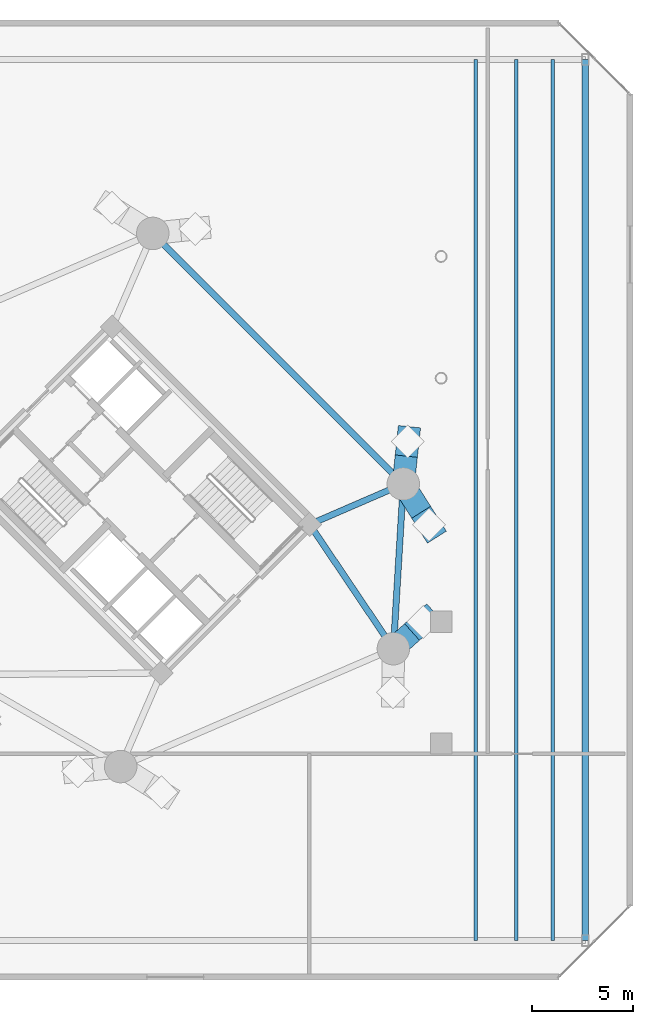
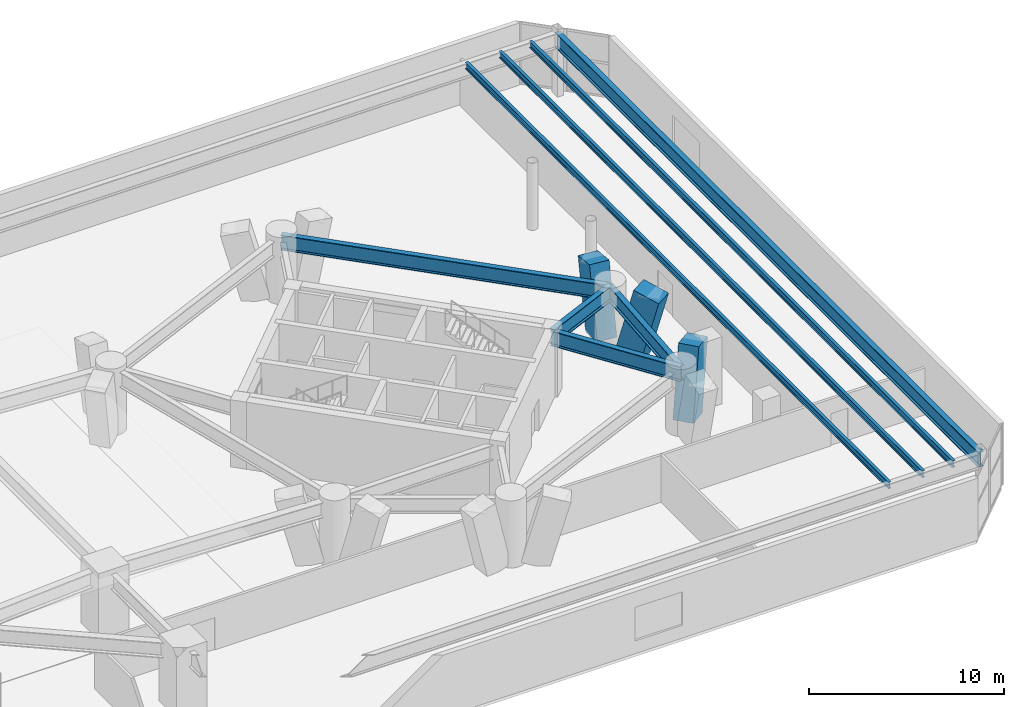
# One storey, part 8 of 20: 8 beams, 3 members.
"""IFC4 building model written with IfcOpenShell, lengths in metres."""

from ifc_helpers import new_model, si_unit, direction, frame, origin, origin_2d, place, context, subcontext, project, spatial, rectangle, i_section, extrude, material, material_profile, profile_set, type_object, element, save


model = new_model("IFC4")

# Units and contexts
model_context = context("Model", 3, precision=1e-05, world=origin(), true_north=direction((0.0, 1.0)))
body_context = subcontext(model_context, "Body", "Model", "MODEL_VIEW")
ifc_project = project(units=[si_unit("LENGTHUNIT", "METRE"), si_unit("AREAUNIT", "SQUARE_METRE"), si_unit("VOLUMEUNIT", "CUBIC_METRE"), si_unit("PLANEANGLEUNIT", "RADIAN"), si_unit("MASSUNIT", "GRAM", prefix="KILO")], contexts=[model_context])

# Site, building, storey
site_placement = place(None, origin())
site = spatial("IfcSite", under=ifc_project, at=site_placement, CompositionType="ELEMENT")
building_placement = place(site_placement, origin())
building = spatial("IfcBuilding", under=site, at=building_placement, Name="Cununo Teusaquillo Station Towers", CompositionType="ELEMENT")
storey_placement = place(building_placement, frame((0.0, 0.0, 4.800048828125)))
storey = spatial("IfcBuildingStorey", under=building, at=storey_placement, Name="L01", CompositionType="ELEMENT", Elevation=4.800048828125)

# Beams
ifc_material_1 = material(Name="Steel ASTM A572 Grade 50", Category="steel")
ifc_material_profile_1 = material_profile(ifc_material_1, i_section(OverallWidth=0.180908203125, OverallDepth=0.4169921875, WebThickness=0.010986328125, FlangeThickness=0.018310546875, FilletRadius=0.012939453125, at=origin_2d()), Name="W16X57")
ifc_profile_set_1 = profile_set([ifc_material_profile_1], Name="Steel ASTM A572 Grade 50")
beam_type_1 = type_object("IfcBeamType", Name="BM-JOIST-1", PredefinedType="JOIST", material=ifc_profile_set_1)
for number, where, z_axis, x_axis, name in (
    (1, (74.199951171875, 2.800048828125, 3.69140625), (0.0, 1.0, 0.0), (-1.0, 0.0, 0.0), "L01 Floor Secondary Joist 1"),
    (2, (76.199951171875, 2.800048828125, 3.69140625), (0.0, 1.0, 0.0), (-1.0, 0.0, 0.0), "L01 Floor Secondary Joist 2"),
    (3, (78.0, 2.800048828125, 3.69140625), (0.0, 1.0, 0.0), (-1.0, 0.0, 0.0), "L01 Floor Secondary Joist 3"),
):
    element("IfcBeam", number, at=place(storey_placement, frame(where, z_axis=z_axis, x_axis=x_axis)), inside=storey, type_object=beam_type_1, Name=name, PredefinedType="JOIST", context=body_context, shape_type="SweptSolid", body=[
        extrude(i_section(OverallWidth=0.180908203125, OverallDepth=0.4169921875, WebThickness=0.010986328125, FlangeThickness=0.018310546875, FilletRadius=0.012939453125, at=origin_2d()), origin(), (0.0, 0.0, 1.0), 43.39990234375),
    ])
ifc_material_2 = material(Name="Steel ASTM A572 Grade 50", Category="steel")
ifc_material_profile_2 = material_profile(ifc_material_2, i_section(OverallWidth=0.30810546875, OverallDepth=0.943115234375, WebThickness=0.022216796875, FlangeThickness=0.039794921875, FilletRadius=0.02392578125, at=origin_2d()), Name="W36X232")
ifc_profile_set_2 = profile_set([ifc_material_profile_2], Name="Steel ASTM A572 Grade 50")
beam_type_2 = type_object("IfcBeamType", Name="BM-POD-SEC", PredefinedType="BEAM", material=ifc_profile_set_2)
beam_1_placement = place(storey_placement, frame((70.146240234375, 17.173095703125, 3.428466796875), z_axis=(0.06012979176, 0.998190567048, 0.0), x_axis=(-0.998190567048, 0.06012979176, 0.0)))
element("IfcBeam", 4, at=beam_1_placement, inside=storey, type_object=beam_type_2, Name="L01 Tower B Podium Perimeter Girder 5", PredefinedType="BEAM", context=body_context, shape_type="SweptSolid", body=[
    extrude(i_section(OverallWidth=0.30810546875, OverallDepth=0.943115234375, WebThickness=0.022216796875, FlangeThickness=0.039794921875, FilletRadius=0.02392578125, at=origin_2d()), origin(), (0.0, 0.0, 1.0), 8.132568359375),
])
beam_2_placement = place(storey_placement, frame((70.63525390625, 25.291015625, 3.428466796875), z_axis=(-0.707106781187, 0.707106781187, 0.0), x_axis=(-0.707106781187, -0.707106781187, 0.0)))
element("IfcBeam", 5, at=beam_2_placement, inside=storey, type_object=beam_type_2, Name="L01 Tower B Podium Perimeter Girder 6", PredefinedType="BEAM", context=body_context, shape_type="SweptSolid", body=[
    extrude(i_section(OverallWidth=0.30810546875, OverallDepth=0.943115234375, WebThickness=0.022216796875, FlangeThickness=0.039794921875, FilletRadius=0.02392578125, at=origin_2d()), origin(), (0.0, 0.0, 1.0), 17.457275390625),
])
beam_3_placement = place(storey_placement, frame((66.024169921875, 23.29443359375, 3.428466796875), z_axis=(0.558557182486, -0.829466017323, 0.0), x_axis=(0.829466017323, 0.558557182486, 0.0)))
element("IfcBeam", 6, at=beam_3_placement, inside=storey, type_object=beam_type_2, Name="L01 Tower B Podium Radial Girder 5", PredefinedType="BEAM", context=body_context, shape_type="SweptSolid", body=[
    extrude(i_section(OverallWidth=0.30810546875, OverallDepth=0.943115234375, WebThickness=0.022216796875, FlangeThickness=0.039794921875, FilletRadius=0.02392578125, at=origin_2d()), origin(), (0.0, 0.0, 1.0), 7.3798828125),
])
beam_4_placement = place(storey_placement, frame((66.024169921875, 23.29443359375, 3.428466796875), z_axis=(0.917668443616, 0.397346986387, 0.0), x_axis=(-0.397346986387, 0.917668443616, 0.0)))
element("IfcBeam", 7, at=beam_4_placement, inside=storey, type_object=beam_type_2, Name="L01 Tower B Podium Radial Girder 6", PredefinedType="BEAM", context=body_context, shape_type="SweptSolid", body=[
    extrude(i_section(OverallWidth=0.30810546875, OverallDepth=0.943115234375, WebThickness=0.022216796875, FlangeThickness=0.039794921875, FilletRadius=0.02392578125, at=origin_2d()), origin(), (0.0, 0.0, 1.0), 5.02490234375),
])
beam_5_placement = place(storey_placement, frame((79.60009765625, 2.800048828125, 3.428466796875), z_axis=(0.0, 1.0, 0.0), x_axis=(-1.0, 0.0, 0.0)))
element("IfcBeam", 8, at=beam_5_placement, inside=storey, type_object=beam_type_2, Name="L01 Station Podium Girder CAN-E", PredefinedType="BEAM", context=body_context, shape_type="SweptSolid", body=[
    extrude(i_section(OverallWidth=0.30810546875, OverallDepth=0.943115234375, WebThickness=0.022216796875, FlangeThickness=0.039794921875, FilletRadius=0.02392578125, at=origin_2d()), origin(), (0.0, 0.0, 1.0), 43.39990234375),
])

# Members
ifc_material_3 = material(Name="Concrete C60/75", Category="concrete")
ifc_material_profile_3 = material_profile(ifc_material_3, rectangle(XDim=1.10009765625, YDim=1.5, at=origin_2d()), Name="RC-RECT-1500x1100")
ifc_profile_set_3 = profile_set([ifc_material_profile_3], Name="Concrete C60/75")
member_type = type_object("IfcMemberType", Name="MBR-VFOOT", PredefinedType="USERDEFINED", material=ifc_profile_set_3)
member_1_placement = place(storey_placement, frame((70.928955078125, 17.87255859375, 0.0), z_axis=(0.159233212425, 0.142367212393, 0.976921880652), x_axis=(-0.666522815013, 0.745484632348, 0.0)))
element("IfcMember", 9, at=member_1_placement, inside=storey, type_object=member_type, Name="L01 Tower B Sloping Concrete V-Foot V16R", ObjectType="V FOOT STRUT", PredefinedType="USERDEFINED", context=body_context, shape_type="SweptSolid", body=[
    extrude(rectangle(XDim=1.10009765625, YDim=1.5, at=origin_2d()), origin(), (0.0, 0.0, 1.0), 4.299072265625),
])
member_2_placement = place(storey_placement, frame((71.31103515625, 24.219482421875, 0.0), z_axis=(0.13618053512, -0.215932982224, 0.966864938366), x_axis=(0.845839226633, 0.533437908936, 0.0)))
element("IfcMember", 10, at=member_2_placement, inside=storey, type_object=member_type, Name="L01 Tower B Sloping Concrete V-Foot V18L", ObjectType="V FOOT STRUT", PredefinedType="USERDEFINED", context=body_context, shape_type="SweptSolid", body=[
    extrude(rectangle(XDim=1.10009765625, YDim=1.5, at=origin_2d()), origin(), (0.0, 0.0, 1.0), 4.343994140625),
])
member_3_placement = place(storey_placement, frame((70.75537109375, 26.408203125, 0.0), z_axis=(0.024393964477, 0.226677094501, 0.973664433635), x_axis=(-0.994259269263, 0.106997689152, 0.0)))
element("IfcMember", 11, at=member_3_placement, inside=storey, type_object=member_type, Name="L01 Tower B Sloping Concrete V-Foot V18R", ObjectType="V FOOT STRUT", PredefinedType="USERDEFINED", context=body_context, shape_type="SweptSolid", body=[
    extrude(rectangle(XDim=1.10009765625, YDim=1.5, at=origin_2d()), origin(), (0.0, 0.0, 1.0), 4.3134765625),
])

save(model, "model.ifc")
